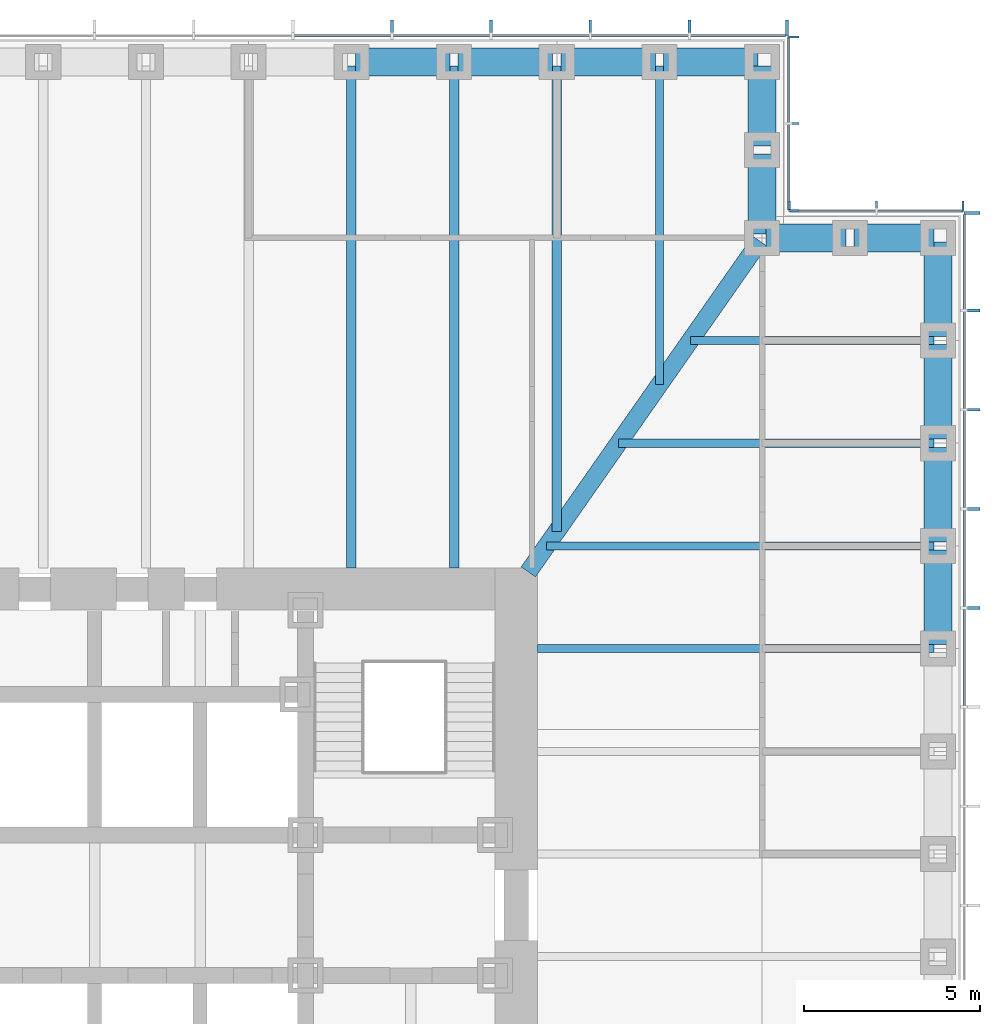
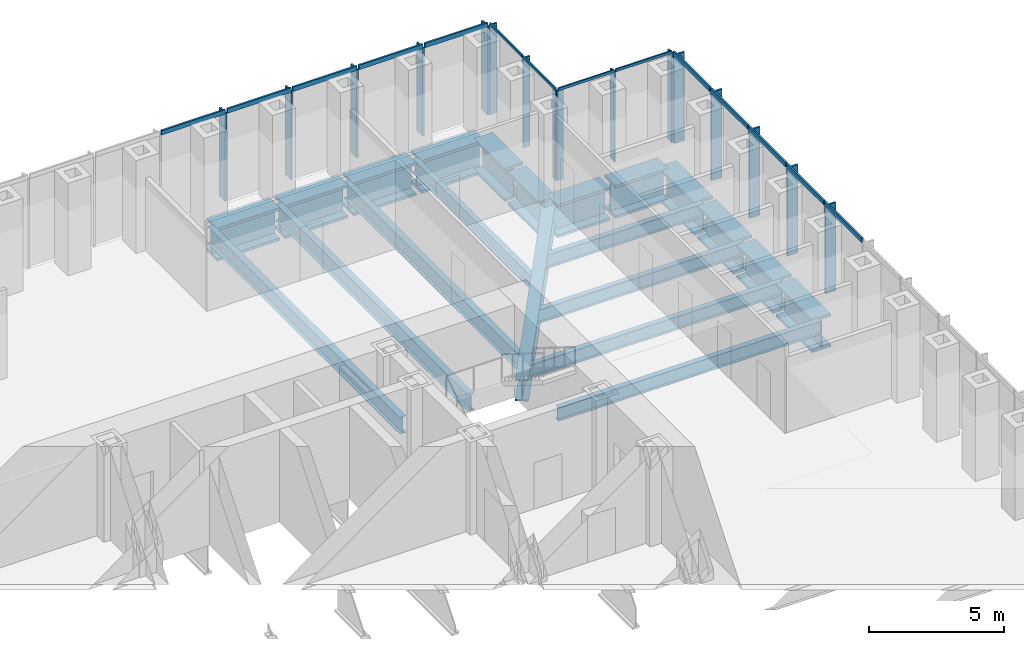
# One storey, part 6 of 16: 30 members, 21 beams, 4 elements without a shape of their own.
"""IFC4 building model written with IfcOpenShell, lengths in metres."""

from ifc_helpers import new_model, si_unit, direction, frame, origin, origin_2d, place, context, subcontext, project, spatial, rectangle, i_section, extrude, material, material_profile, profile_set, type_object, element, aggregate, save


model = new_model("IFC4")

# Units and contexts
model_context = context("Model", 3, precision=1e-05, world=origin(), true_north=direction((0.0, 1.0)))
body_context = subcontext(model_context, "Body", "Model", "MODEL_VIEW")
ifc_project = project(units=[si_unit("LENGTHUNIT", "METRE"), si_unit("AREAUNIT", "SQUARE_METRE"), si_unit("VOLUMEUNIT", "CUBIC_METRE"), si_unit("PLANEANGLEUNIT", "RADIAN"), si_unit("MASSUNIT", "GRAM", prefix="KILO")], contexts=[model_context])

# Site, building, storey
site_placement = place(None, origin())
site = spatial("IfcSite", under=ifc_project, at=site_placement, CompositionType="ELEMENT")
building_placement = place(site_placement, origin())
building = spatial("IfcBuilding", under=site, at=building_placement, Name="Daluyong Arena Tower", CompositionType="ELEMENT")
storey_placement = place(building_placement, frame((0.0, 0.0, 51.699951171875)))
storey = spatial("IfcBuildingStorey", under=building, at=storey_placement, Name="L10", CompositionType="ELEMENT", Elevation=51.699951171875)

# Curtain wall, members
ifc_material_1 = material(Name="Bronze anodised aluminium and glass", Category="aluminium")
curtain_wall_type_1 = type_object("IfcCurtainWallType", Name="Curtain wall CW1", PredefinedType="USERDEFINED", material=ifc_material_1)
curtain_wall_1_placement = place(storey_placement, origin())
curtain_wall_1 = element("IfcCurtainWall", 1, at=curtain_wall_1_placement, inside=storey, type_object=curtain_wall_type_1, Name="curtain wall L10 E", ObjectType="UNITISED CURTAIN WALL", PredefinedType="USERDEFINED")
ifc_material_2 = material(Name="Bronze anodised aluminium fin", Category="aluminium")
ifc_material_profile_1 = material_profile(ifc_material_2, rectangle(XDim=0.449951171875, YDim=0.080078125, at=origin_2d()))
ifc_profile_set_1 = profile_set([ifc_material_profile_1], Name="Bronze anodised aluminium fin")
member_type_1 = type_object("IfcMemberType", Name="CW1 bronze fin 450x80", PredefinedType="MULLION", material=ifc_profile_set_1)
member_1_placement = place(storey_placement, frame((80.97509765625, 88.46435546875, 0.0), z_axis=(0.0, 0.0, 1.0), x_axis=(-1.0, 0.0, 0.0)))
member_1 = element("IfcMember", 2, at=member_1_placement, type_object=member_type_1, Name="curtain wall L10 E fin 11", PredefinedType="MULLION", context=body_context, shape_type="SweptSolid", body=[
    extrude(rectangle(XDim=0.449951171875, YDim=0.080078125, at=origin_2d()), origin(), (0.0, 0.0, 1.0), 4.0),
])
member_2_placement = place(storey_placement, frame((80.97509765625, 91.28564453125, 0.0), z_axis=(0.0, 0.0, 1.0), x_axis=(-1.0, 0.0, 0.0)))
member_2 = element("IfcMember", 3, at=member_2_placement, type_object=member_type_1, Name="curtain wall L10 E fin 12", PredefinedType="MULLION", context=body_context, shape_type="SweptSolid", body=[
    extrude(rectangle(XDim=0.449951171875, YDim=0.080078125, at=origin_2d()), origin(), (0.0, 0.0, 1.0), 4.0),
])
member_3_placement = place(storey_placement, frame((80.97509765625, 94.107177734375, 0.0), z_axis=(0.0, 0.0, 1.0), x_axis=(-1.0, 0.0, 0.0)))
member_3 = element("IfcMember", 4, at=member_3_placement, type_object=member_type_1, Name="curtain wall L10 E fin 13", PredefinedType="MULLION", context=body_context, shape_type="SweptSolid", body=[
    extrude(rectangle(XDim=0.449951171875, YDim=0.080078125, at=origin_2d()), origin(), (0.0, 0.0, 1.0), 4.0),
])
member_4_placement = place(storey_placement, frame((80.97509765625, 96.928466796875, 0.0), z_axis=(0.0, 0.0, 1.0), x_axis=(-1.0, 0.0, 0.0)))
member_4 = element("IfcMember", 5, at=member_4_placement, type_object=member_type_1, Name="curtain wall L10 E fin 14", PredefinedType="MULLION", context=body_context, shape_type="SweptSolid", body=[
    extrude(rectangle(XDim=0.449951171875, YDim=0.080078125, at=origin_2d()), origin(), (0.0, 0.0, 1.0), 4.0),
])
member_5_placement = place(storey_placement, frame((80.97509765625, 99.7099609375, 0.0), z_axis=(0.0, 0.0, 1.0), x_axis=(-1.0, 0.0, 0.0)))
member_5 = element("IfcMember", 6, at=member_5_placement, type_object=member_type_1, Name="curtain wall L10 E fin 15", PredefinedType="MULLION", context=body_context, shape_type="SweptSolid", body=[
    extrude(rectangle(XDim=0.449951171875, YDim=0.080078125, at=origin_2d()), origin(), (0.0, 0.0, 1.0), 4.0),
])

curtain_wall_2_placement = place(storey_placement, origin())
curtain_wall_2 = element("IfcCurtainWall", 7, at=curtain_wall_2_placement, inside=storey, type_object=curtain_wall_type_1, Name="curtain wall L10 N", ObjectType="UNITISED CURTAIN WALL", PredefinedType="USERDEFINED")
member_6_placement = place(storey_placement, frame((75.7099609375, 104.97509765625, 0.0), z_axis=(0.0, 0.0, 1.0), x_axis=(0.0, -1.0, 0.0)))
member_6 = element("IfcMember", 8, at=member_6_placement, type_object=member_type_1, Name="curtain wall L10 N fin 1", PredefinedType="MULLION", context=body_context, shape_type="SweptSolid", body=[
    extrude(rectangle(XDim=0.449951171875, YDim=0.080078125, at=origin_2d()), origin(), (0.0, 0.0, 1.0), 4.0),
])
member_7_placement = place(storey_placement, frame((72.928466796875, 104.97509765625, 0.0), z_axis=(0.0, 0.0, 1.0), x_axis=(0.0, -1.0, 0.0)))
member_7 = element("IfcMember", 9, at=member_7_placement, type_object=member_type_1, Name="curtain wall L10 N fin 2", PredefinedType="MULLION", context=body_context, shape_type="SweptSolid", body=[
    extrude(rectangle(XDim=0.449951171875, YDim=0.080078125, at=origin_2d()), origin(), (0.0, 0.0, 1.0), 4.0),
])
member_8_placement = place(storey_placement, frame((70.107177734375, 104.97509765625, 0.0), z_axis=(0.0, 0.0, 1.0), x_axis=(0.0, -1.0, 0.0)))
member_8 = element("IfcMember", 10, at=member_8_placement, type_object=member_type_1, Name="curtain wall L10 N fin 3", PredefinedType="MULLION", context=body_context, shape_type="SweptSolid", body=[
    extrude(rectangle(XDim=0.449951171875, YDim=0.080078125, at=origin_2d()), origin(), (0.0, 0.0, 1.0), 4.0),
])
member_9_placement = place(storey_placement, frame((67.28564453125, 104.97509765625, 0.0), z_axis=(0.0, 0.0, 1.0), x_axis=(0.0, -1.0, 0.0)))
member_9 = element("IfcMember", 11, at=member_9_placement, type_object=member_type_1, Name="curtain wall L10 N fin 4", PredefinedType="MULLION", context=body_context, shape_type="SweptSolid", body=[
    extrude(rectangle(XDim=0.449951171875, YDim=0.080078125, at=origin_2d()), origin(), (0.0, 0.0, 1.0), 4.0),
])
member_10_placement = place(storey_placement, frame((64.46435546875, 104.97509765625, 0.0), z_axis=(0.0, 0.0, 1.0), x_axis=(0.0, -1.0, 0.0)))
member_10 = element("IfcMember", 12, at=member_10_placement, type_object=member_type_1, Name="curtain wall L10 N fin 5", PredefinedType="MULLION", context=body_context, shape_type="SweptSolid", body=[
    extrude(rectangle(XDim=0.449951171875, YDim=0.080078125, at=origin_2d()), origin(), (0.0, 0.0, 1.0), 4.0),
])

# Member
ifc_material_3 = material(Name="Bronze anodised aluminium", Category="aluminium")
ifc_material_profile_2 = material_profile(ifc_material_3, rectangle(XDim=0.080078125, YDim=0.199951171875, at=origin_2d()))
ifc_profile_set_2 = profile_set([ifc_material_profile_2], Name="Bronze anodised aluminium")
member_type_2 = type_object("IfcMemberType", Name="CW1 stack transom 200x80", PredefinedType="USERDEFINED", material=ifc_profile_set_2)
member_11_placement = place(storey_placement, frame((80.75, 85.682861328125, 4.10009765625), z_axis=(0.0, 1.0, 0.0), x_axis=(-1.0, 0.0, 0.0)))
member_11 = element("IfcMember", 13, at=member_11_placement, type_object=member_type_2, Name="curtain wall L10 E transom 10", ObjectType="TRANSOM", PredefinedType="USERDEFINED", context=body_context, shape_type="SweptSolid", body=[
    extrude(rectangle(XDim=0.080078125, YDim=0.199951171875, at=origin_2d()), origin(), (0.0, 0.0, 1.0), 2.741455078125),
])

member_12_placement = place(storey_placement, frame((80.75, 88.50439453125, 4.10009765625), z_axis=(0.0, 1.0, 0.0), x_axis=(-1.0, 0.0, 0.0)))
member_12 = element("IfcMember", 14, at=member_12_placement, type_object=member_type_2, Name="curtain wall L10 E transom 11", ObjectType="TRANSOM", PredefinedType="USERDEFINED", context=body_context, shape_type="SweptSolid", body=[
    extrude(rectangle(XDim=0.080078125, YDim=0.199951171875, at=origin_2d()), origin(), (0.0, 0.0, 1.0), 2.7412109375),
])

member_13_placement = place(storey_placement, frame((80.75, 91.32568359375, 4.10009765625), z_axis=(0.0, 1.0, 0.0), x_axis=(-1.0, 0.0, 0.0)))
member_13 = element("IfcMember", 15, at=member_13_placement, type_object=member_type_2, Name="curtain wall L10 E transom 12", ObjectType="TRANSOM", PredefinedType="USERDEFINED", context=body_context, shape_type="SweptSolid", body=[
    extrude(rectangle(XDim=0.080078125, YDim=0.199951171875, at=origin_2d()), origin(), (0.0, 0.0, 1.0), 2.741455078125),
])

member_14_placement = place(storey_placement, frame((80.75, 94.147216796875, 4.10009765625), z_axis=(0.0, 1.0, 0.0), x_axis=(-1.0, 0.0, 0.0)))
member_14 = element("IfcMember", 16, at=member_14_placement, type_object=member_type_2, Name="curtain wall L10 E transom 13", ObjectType="TRANSOM", PredefinedType="USERDEFINED", context=body_context, shape_type="SweptSolid", body=[
    extrude(rectangle(XDim=0.080078125, YDim=0.199951171875, at=origin_2d()), origin(), (0.0, 0.0, 1.0), 2.741455078125),
])

member_15_placement = place(storey_placement, frame((80.75, 96.968505859375, 4.10009765625), z_axis=(0.0, 1.0, 0.0), x_axis=(-1.0, 0.0, 0.0)))
member_15 = element("IfcMember", 17, at=member_15_placement, type_object=member_type_2, Name="curtain wall L10 E transom 14", ObjectType="TRANSOM", PredefinedType="USERDEFINED", context=body_context, shape_type="SweptSolid", body=[
    extrude(rectangle(XDim=0.080078125, YDim=0.199951171875, at=origin_2d()), origin(), (0.0, 0.0, 1.0), 2.701416015625),
])

aggregate(curtain_wall_1, [member_1, member_2, member_3, member_4, member_5, member_11, member_12, member_13, member_14, member_15])

member_16_placement = place(storey_placement, frame((75.669921875, 104.75, 4.10009765625), z_axis=(-1.0, 0.0, 0.0), x_axis=(0.0, -1.0, 0.0)))
member_16 = element("IfcMember", 18, at=member_16_placement, type_object=member_type_2, Name="curtain wall L10 N transom 1", ObjectType="TRANSOM", PredefinedType="USERDEFINED", context=body_context, shape_type="SweptSolid", body=[
    extrude(rectangle(XDim=0.080078125, YDim=0.199951171875, at=origin_2d()), origin(), (0.0, 0.0, 1.0), 2.701416015625),
])

member_17_placement = place(storey_placement, frame((72.888671875, 104.75, 4.10009765625), z_axis=(-1.0, 0.0, 0.0), x_axis=(0.0, -1.0, 0.0)))
member_17 = element("IfcMember", 19, at=member_17_placement, type_object=member_type_2, Name="curtain wall L10 N transom 2", ObjectType="TRANSOM", PredefinedType="USERDEFINED", context=body_context, shape_type="SweptSolid", body=[
    extrude(rectangle(XDim=0.080078125, YDim=0.199951171875, at=origin_2d()), origin(), (0.0, 0.0, 1.0), 2.741455078125),
])

member_18_placement = place(storey_placement, frame((70.067138671875, 104.75, 4.10009765625), z_axis=(-1.0, 0.0, 0.0), x_axis=(0.0, -1.0, 0.0)))
member_18 = element("IfcMember", 20, at=member_18_placement, type_object=member_type_2, Name="curtain wall L10 N transom 3", ObjectType="TRANSOM", PredefinedType="USERDEFINED", context=body_context, shape_type="SweptSolid", body=[
    extrude(rectangle(XDim=0.080078125, YDim=0.199951171875, at=origin_2d()), origin(), (0.0, 0.0, 1.0), 2.741455078125),
])

member_19_placement = place(storey_placement, frame((67.24560546875, 104.75, 4.10009765625), z_axis=(-1.0, 0.0, 0.0), x_axis=(0.0, -1.0, 0.0)))
member_19 = element("IfcMember", 21, at=member_19_placement, type_object=member_type_2, Name="curtain wall L10 N transom 4", ObjectType="TRANSOM", PredefinedType="USERDEFINED", context=body_context, shape_type="SweptSolid", body=[
    extrude(rectangle(XDim=0.080078125, YDim=0.199951171875, at=origin_2d()), origin(), (0.0, 0.0, 1.0), 2.7412109375),
])

member_20_placement = place(storey_placement, frame((64.42431640625, 104.75, 4.10009765625), z_axis=(-1.0, 0.0, 0.0), x_axis=(0.0, -1.0, 0.0)))
member_20 = element("IfcMember", 22, at=member_20_placement, type_object=member_type_2, Name="curtain wall L10 N transom 5", ObjectType="TRANSOM", PredefinedType="USERDEFINED", context=body_context, shape_type="SweptSolid", body=[
    extrude(rectangle(XDim=0.080078125, YDim=0.199951171875, at=origin_2d()), origin(), (0.0, 0.0, 1.0), 2.741455078125),
])

aggregate(curtain_wall_2, [member_6, member_7, member_8, member_9, member_10, member_16, member_17, member_18, member_19, member_20])

# Curtain wall, members
ifc_material_4 = material(Name="Bronze anodised aluminium and glass", Category="aluminium")
curtain_wall_type_2 = type_object("IfcCurtainWallType", Name="Curtain wall CW7", PredefinedType="USERDEFINED", material=ifc_material_4)
curtain_wall_3_placement = place(storey_placement, origin())
curtain_wall_3 = element("IfcCurtainWall", 23, at=curtain_wall_3_placement, inside=storey, type_object=curtain_wall_type_2, Name="curtain wall L10 NE-N", ObjectType="UNITISED CURTAIN WALL", PredefinedType="USERDEFINED")
ifc_material_5 = material(Name="Bronze anodised aluminium fin", Category="aluminium")
ifc_material_profile_3 = material_profile(ifc_material_5, rectangle(XDim=0.300048828125, YDim=0.06005859375, at=origin_2d()))
ifc_profile_set_3 = profile_set([ifc_material_profile_3], Name="Bronze anodised aluminium fin")
member_type_3 = type_object("IfcMemberType", Name="CW7 bronze fin 300x60", PredefinedType="MULLION", material=ifc_profile_set_3)
member_21_placement = place(storey_placement, frame((80.719970703125, 99.89990234375, 0.0), z_axis=(0.0, 0.0, 1.0), x_axis=(0.0, -1.0, 0.0)))
member_21 = element("IfcMember", 24, at=member_21_placement, type_object=member_type_3, Name="curtain wall L10 NE-N fin 1", PredefinedType="MULLION", context=body_context, shape_type="SweptSolid", body=[
    extrude(rectangle(XDim=0.300048828125, YDim=0.06005859375, at=origin_2d()), origin(), (0.0, 0.0, 1.0), 4.080078125),
])
member_22_placement = place(storey_placement, frame((78.25, 99.89990234375, 0.0), z_axis=(0.0, 0.0, 1.0), x_axis=(0.0, -1.0, 0.0)))
member_22 = element("IfcMember", 25, at=member_22_placement, type_object=member_type_3, Name="curtain wall L10 NE-N fin 2", PredefinedType="MULLION", context=body_context, shape_type="SweptSolid", body=[
    extrude(rectangle(XDim=0.300048828125, YDim=0.06005859375, at=origin_2d()), origin(), (0.0, 0.0, 1.0), 4.080078125),
])
member_23_placement = place(storey_placement, frame((75.780029296875, 99.89990234375, 0.0), z_axis=(0.0, 0.0, 1.0), x_axis=(0.0, -1.0, 0.0)))
member_23 = element("IfcMember", 26, at=member_23_placement, type_object=member_type_3, Name="curtain wall L10 NE-N fin 3", PredefinedType="MULLION", context=body_context, shape_type="SweptSolid", body=[
    extrude(rectangle(XDim=0.300048828125, YDim=0.06005859375, at=origin_2d()), origin(), (0.0, 0.0, 1.0), 4.080078125),
])

curtain_wall_4_placement = place(storey_placement, origin())
curtain_wall_4 = element("IfcCurtainWall", 27, at=curtain_wall_4_placement, inside=storey, type_object=curtain_wall_type_2, Name="curtain wall L10 NE-E", ObjectType="UNITISED CURTAIN WALL", PredefinedType="USERDEFINED")
member_24_placement = place(storey_placement, frame((75.89990234375, 99.780029296875, 0.0), z_axis=(0.0, 0.0, 1.0), x_axis=(-1.0, 0.0, 0.0)))
member_24 = element("IfcMember", 28, at=member_24_placement, type_object=member_type_3, Name="curtain wall L10 NE-E fin 1", PredefinedType="MULLION", context=body_context, shape_type="SweptSolid", body=[
    extrude(rectangle(XDim=0.300048828125, YDim=0.06005859375, at=origin_2d()), origin(), (0.0, 0.0, 1.0), 4.080078125),
])
member_25_placement = place(storey_placement, frame((75.89990234375, 102.25, 0.0), z_axis=(0.0, 0.0, 1.0), x_axis=(-1.0, 0.0, 0.0)))
member_25 = element("IfcMember", 29, at=member_25_placement, type_object=member_type_3, Name="curtain wall L10 NE-E fin 2", PredefinedType="MULLION", context=body_context, shape_type="SweptSolid", body=[
    extrude(rectangle(XDim=0.300048828125, YDim=0.06005859375, at=origin_2d()), origin(), (0.0, 0.0, 1.0), 4.080078125),
])
member_26_placement = place(storey_placement, frame((75.89990234375, 104.719970703125, 0.0), z_axis=(0.0, 0.0, 1.0), x_axis=(-1.0, 0.0, 0.0)))
member_26 = element("IfcMember", 30, at=member_26_placement, type_object=member_type_3, Name="curtain wall L10 NE-E fin 3", PredefinedType="MULLION", context=body_context, shape_type="SweptSolid", body=[
    extrude(rectangle(XDim=0.300048828125, YDim=0.06005859375, at=origin_2d()), origin(), (0.0, 0.0, 1.0), 4.080078125),
])

# Member
ifc_material_6 = material(Name="Bronze anodised aluminium", Category="aluminium")
ifc_material_profile_4 = material_profile(ifc_material_6, rectangle(XDim=0.06005859375, YDim=0.1201171875, at=origin_2d()))
ifc_profile_set_4 = profile_set([ifc_material_profile_4], Name="Bronze anodised aluminium")
member_type_4 = type_object("IfcMemberType", Name="CW7 stack transom 120x60", PredefinedType="USERDEFINED", material=ifc_profile_set_4)
member_27_placement = place(storey_placement, frame((80.68994140625, 99.75, 4.14013671875), z_axis=(-1.0, 0.0, 0.0), x_axis=(0.0, -1.0, 0.0)))
member_27 = element("IfcMember", 31, at=member_27_placement, type_object=member_type_4, Name="curtain wall L10 NE-N transom 1", ObjectType="TRANSOM", PredefinedType="USERDEFINED", context=body_context, shape_type="SweptSolid", body=[
    extrude(rectangle(XDim=0.06005859375, YDim=0.1201171875, at=origin_2d()), origin(), (0.0, 0.0, 1.0), 2.409912109375),
])

member_28_placement = place(storey_placement, frame((78.219970703125, 99.75, 4.14013671875), z_axis=(-1.0, 0.0, 0.0), x_axis=(0.0, -1.0, 0.0)))
member_28 = element("IfcMember", 32, at=member_28_placement, type_object=member_type_4, Name="curtain wall L10 NE-N transom 2", ObjectType="TRANSOM", PredefinedType="USERDEFINED", context=body_context, shape_type="SweptSolid", body=[
    extrude(rectangle(XDim=0.06005859375, YDim=0.1201171875, at=origin_2d()), origin(), (0.0, 0.0, 1.0), 2.409912109375),
])

aggregate(curtain_wall_3, [member_21, member_22, member_23, member_27, member_28])

member_29_placement = place(storey_placement, frame((75.75, 99.81005859375, 4.14013671875), z_axis=(0.0, 1.0, 0.0), x_axis=(-1.0, 0.0, 0.0)))
member_29 = element("IfcMember", 33, at=member_29_placement, type_object=member_type_4, Name="curtain wall L10 NE-E transom 1", ObjectType="TRANSOM", PredefinedType="USERDEFINED", context=body_context, shape_type="SweptSolid", body=[
    extrude(rectangle(XDim=0.06005859375, YDim=0.1201171875, at=origin_2d()), origin(), (0.0, 0.0, 1.0), 2.409912109375),
])

member_30_placement = place(storey_placement, frame((75.75, 102.280029296875, 4.14013671875), z_axis=(0.0, 1.0, 0.0), x_axis=(-1.0, 0.0, 0.0)))
member_30 = element("IfcMember", 34, at=member_30_placement, type_object=member_type_4, Name="curtain wall L10 NE-E transom 2", ObjectType="TRANSOM", PredefinedType="USERDEFINED", context=body_context, shape_type="SweptSolid", body=[
    extrude(rectangle(XDim=0.06005859375, YDim=0.1201171875, at=origin_2d()), origin(), (0.0, 0.0, 1.0), 2.409912109375),
])

aggregate(curtain_wall_4, [member_24, member_25, member_26, member_29, member_30])

# Beams
ifc_material_7 = material(Name="Steel ASTM A572 Grade 50", Category="steel")
ifc_material_profile_5 = material_profile(ifc_material_7, i_section(OverallWidth=0.5, OverallDepth=1.0, WebThickness=0.03, FlangeThickness=0.06, at=origin_2d()))
ifc_profile_set_5 = profile_set([ifc_material_profile_5], Name="Steel ASTM A572 Grade 50")
beam_type_1 = type_object("IfcBeamType", Name="Corner girder TB1000X500", PredefinedType="BEAM", material=ifc_profile_set_5)
beam_1_placement = place(storey_placement, frame((74.93408203125, 98.90576171875, -0.659912109375), z_axis=(-0.573466621875, -0.819228926244, 0.0), x_axis=(0.819228926244, -0.573466621875, 0.0)))
element("IfcBeam", 35, at=beam_1_placement, inside=storey, type_object=beam_type_1, Name="corner girder DG2", PredefinedType="BEAM", context=body_context, shape_type="SweptSolid", body=[
    extrude(i_section(OverallWidth=0.5, OverallDepth=1.0, WebThickness=0.03, FlangeThickness=0.06, at=origin_2d()), origin(), (0.0, 0.0, 1.0), 11.49169921875),
])
ifc_material_8 = material(Name="Steel ASTM A992 Grade 50", Category="steel")
ifc_material_profile_6 = material_profile(ifc_material_8, i_section(OverallWidth=0.22900390625, OverallDepth=0.612060546875, WebThickness=0.011962890625, FlangeThickness=0.01953125, at=origin_2d()))
ifc_profile_set_6 = profile_set([ifc_material_profile_6], Name="Steel ASTM A992 Grade 50")
beam_type_2 = type_object("IfcBeamType", Name="Floor beam W24X84", PredefinedType="BEAM", material=ifc_profile_set_6)
beam_2_placement = place(storey_placement, frame((79.885009765625, 87.3076171875, -0.466064453125), z_axis=(-1.0, 0.0, 0.0), x_axis=(0.0, -1.0, 0.0)))
element("IfcBeam", 36, at=beam_2_placement, inside=storey, type_object=beam_type_2, Name="floor beam FB3", PredefinedType="BEAM", context=body_context, shape_type="SweptSolid", body=[
    extrude(i_section(OverallWidth=0.22900390625, OverallDepth=0.612060546875, WebThickness=0.011962890625, FlangeThickness=0.01953125, at=origin_2d()), origin(), (0.0, 0.0, 1.0), 11.284912109375),
])
beam_3_placement = place(storey_placement, frame((79.885009765625, 90.230712890625, -0.466064453125), z_axis=(-1.0, 0.0, 0.0), x_axis=(0.0, -1.0, 0.0)))
element("IfcBeam", 37, at=beam_3_placement, inside=storey, type_object=beam_type_2, Name="floor beam FB3", PredefinedType="BEAM", context=body_context, shape_type="SweptSolid", body=[
    extrude(i_section(OverallWidth=0.22900390625, OverallDepth=0.612060546875, WebThickness=0.011962890625, FlangeThickness=0.01953125, at=origin_2d()), origin(), (0.0, 0.0, 1.0), 11.0234375),
])
beam_4_placement = place(storey_placement, frame((79.885009765625, 93.15380859375, -0.466064453125), z_axis=(-1.0, 0.0, 0.0), x_axis=(0.0, -1.0, 0.0)))
element("IfcBeam", 38, at=beam_4_placement, inside=storey, type_object=beam_type_2, Name="floor beam FB3", PredefinedType="BEAM", context=body_context, shape_type="SweptSolid", body=[
    extrude(i_section(OverallWidth=0.22900390625, OverallDepth=0.612060546875, WebThickness=0.011962890625, FlangeThickness=0.01953125, at=origin_2d()), origin(), (0.0, 0.0, 1.0), 8.977294921875),
])
beam_5_placement = place(storey_placement, frame((79.885009765625, 96.076904296875, -0.466064453125), z_axis=(-1.0, 0.0, 0.0), x_axis=(0.0, -1.0, 0.0)))
element("IfcBeam", 39, at=beam_5_placement, inside=storey, type_object=beam_type_2, Name="floor beam FB3", PredefinedType="BEAM", context=body_context, shape_type="SweptSolid", body=[
    extrude(i_section(OverallWidth=0.22900390625, OverallDepth=0.612060546875, WebThickness=0.011962890625, FlangeThickness=0.01953125, at=origin_2d()), origin(), (0.0, 0.0, 1.0), 6.93115234375),
])
beam_6_placement = place(storey_placement, frame((72.076904296875, 103.885009765625, -0.466064453125), z_axis=(0.0, -1.0, 0.0), x_axis=(1.0, 0.0, 0.0)))
element("IfcBeam", 40, at=beam_6_placement, inside=storey, type_object=beam_type_2, Name="floor beam FB3", PredefinedType="BEAM", context=body_context, shape_type="SweptSolid", body=[
    extrude(i_section(OverallWidth=0.22900390625, OverallDepth=0.612060546875, WebThickness=0.011962890625, FlangeThickness=0.01953125, at=origin_2d()), origin(), (0.0, 0.0, 1.0), 9.060791015625),
])
ifc_material_9 = material(Name="Steel ASTM A992 Grade 50", Category="steel")
ifc_material_profile_7 = material_profile(ifc_material_9, i_section(OverallWidth=0.2666015625, OverallDepth=0.761962890625, WebThickness=0.014404296875, FlangeThickness=0.021484375, at=origin_2d()))
ifc_profile_set_7 = profile_set([ifc_material_profile_7], Name="Steel ASTM A992 Grade 50")
beam_type_3 = type_object("IfcBeamType", Name="Floor beam W30X116", PredefinedType="BEAM", material=ifc_profile_set_7)
beam_7_placement = place(storey_placement, frame((69.15380859375, 103.885009765625, -0.541015625), z_axis=(0.0, -1.0, 0.0), x_axis=(1.0, 0.0, 0.0)))
element("IfcBeam", 41, at=beam_7_placement, inside=storey, type_object=beam_type_3, Name="floor beam FB4", PredefinedType="BEAM", context=body_context, shape_type="SweptSolid", body=[
    extrude(i_section(OverallWidth=0.2666015625, OverallDepth=0.761962890625, WebThickness=0.014404296875, FlangeThickness=0.021484375, at=origin_2d()), origin(), (0.0, 0.0, 1.0), 13.236572265625),
])
for number, where, z_axis, x_axis, name in (
    (42, (66.230712890625, 103.885009765625, -0.541015625), (0.0, -1.0, 0.0), (1.0, 0.0, 0.0), "floor beam FB4"),
    (43, (63.3076171875, 103.885009765625, -0.541015625), (0.0, -1.0, 0.0), (1.0, 0.0, 0.0), "floor beam FB4"),
):
    element("IfcBeam", number, at=place(storey_placement, frame(where, z_axis=z_axis, x_axis=x_axis)), inside=storey, type_object=beam_type_3, Name=name, PredefinedType="BEAM", context=body_context, shape_type="SweptSolid", body=[
        extrude(i_section(OverallWidth=0.2666015625, OverallDepth=0.761962890625, WebThickness=0.014404296875, FlangeThickness=0.021484375, at=origin_2d()), origin(), (0.0, 0.0, 1.0), 14.284912109375),
    ])
ifc_material_10 = material(Name="Steel ASTM A588 Grade 50", Category="steel")
ifc_material_profile_8 = material_profile(ifc_material_10, i_section(OverallWidth=0.800048828125, OverallDepth=1.5, WebThickness=0.05, FlangeThickness=0.12, at=origin_2d()))
ifc_profile_set_8 = profile_set([ifc_material_profile_8], Name="Steel ASTM A588 Grade 50")
beam_type_4 = type_object("IfcBeamType", Name="Spandrel Z1 PG1500X800", PredefinedType="SPANDREL", material=ifc_profile_set_8)
for number, where, z_axis, x_axis, name in (
    (44, (80.0, 87.422607421875, -0.909912109375), (0.0, 1.0, 0.0), (-1.0, 0.0, 0.0), "spandrel z1 SB3"),
    (45, (80.0, 90.345703125, -0.909912109375), (0.0, 1.0, 0.0), (-1.0, 0.0, 0.0), "spandrel z1 SB3"),
    (46, (80.0, 93.268798828125, -0.909912109375), (0.0, 1.0, 0.0), (-1.0, 0.0, 0.0), "spandrel z1 SB3"),
    (47, (80.0, 96.19189453125, -0.909912109375), (0.0, 1.0, 0.0), (-1.0, 0.0, 0.0), "spandrel z1 SB3"),
):
    element("IfcBeam", number, at=place(storey_placement, frame(where, z_axis=z_axis, x_axis=x_axis)), inside=storey, type_object=beam_type_4, Name=name, PredefinedType="SPANDREL", context=body_context, shape_type="SweptSolid", body=[
        extrude(i_section(OverallWidth=0.800048828125, OverallDepth=1.5, WebThickness=0.05, FlangeThickness=0.12, at=origin_2d()), origin(), (0.0, 0.0, 1.0), 2.693115234375),
    ])
for number, where, z_axis, x_axis, name in (
    (48, (79.885009765625, 99.0, -0.909912109375), (-1.0, 0.0, 0.0), (0.0, -1.0, 0.0), "spandrel z1 SB3"),
    (49, (77.385009765625, 99.0, -0.909912109375), (-1.0, 0.0, 0.0), (0.0, -1.0, 0.0), "spandrel z1 SB3"),
    (50, (75.0, 99.114990234375, -0.909912109375), (0.0, 1.0, 0.0), (-1.0, 0.0, 0.0), "spandrel z1 SB3"),
    (51, (75.0, 101.614990234375, -0.909912109375), (0.0, 1.0, 0.0), (-1.0, 0.0, 0.0), "spandrel z1 SB3"),
):
    element("IfcBeam", number, at=place(storey_placement, frame(where, z_axis=z_axis, x_axis=x_axis)), inside=storey, type_object=beam_type_4, Name=name, PredefinedType="SPANDREL", context=body_context, shape_type="SweptSolid", body=[
        extrude(i_section(OverallWidth=0.800048828125, OverallDepth=1.5, WebThickness=0.05, FlangeThickness=0.12, at=origin_2d()), origin(), (0.0, 0.0, 1.0), 2.27001953125),
    ])
for number, where, z_axis, x_axis, name in (
    (52, (74.885009765625, 104.0, -0.909912109375), (-1.0, 0.0, 0.0), (0.0, -1.0, 0.0), "spandrel z1 SB3"),
    (53, (71.9619140625, 104.0, -0.909912109375), (-1.0, 0.0, 0.0), (0.0, -1.0, 0.0), "spandrel z1 SB3"),
    (54, (69.038818359375, 104.0, -0.909912109375), (-1.0, 0.0, 0.0), (0.0, -1.0, 0.0), "spandrel z1 SB3"),
    (55, (66.11572265625, 104.0, -0.909912109375), (-1.0, 0.0, 0.0), (0.0, -1.0, 0.0), "spandrel z1 SB3"),
):
    element("IfcBeam", number, at=place(storey_placement, frame(where, z_axis=z_axis, x_axis=x_axis)), inside=storey, type_object=beam_type_4, Name=name, PredefinedType="SPANDREL", context=body_context, shape_type="SweptSolid", body=[
        extrude(i_section(OverallWidth=0.800048828125, OverallDepth=1.5, WebThickness=0.05, FlangeThickness=0.12, at=origin_2d()), origin(), (0.0, 0.0, 1.0), 2.693115234375),
    ])

save(model, "model.ifc")
